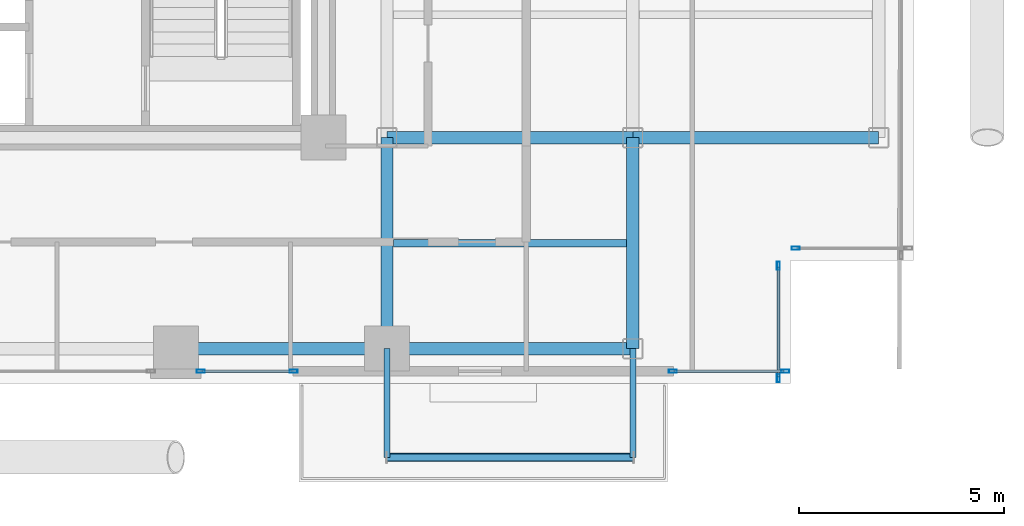
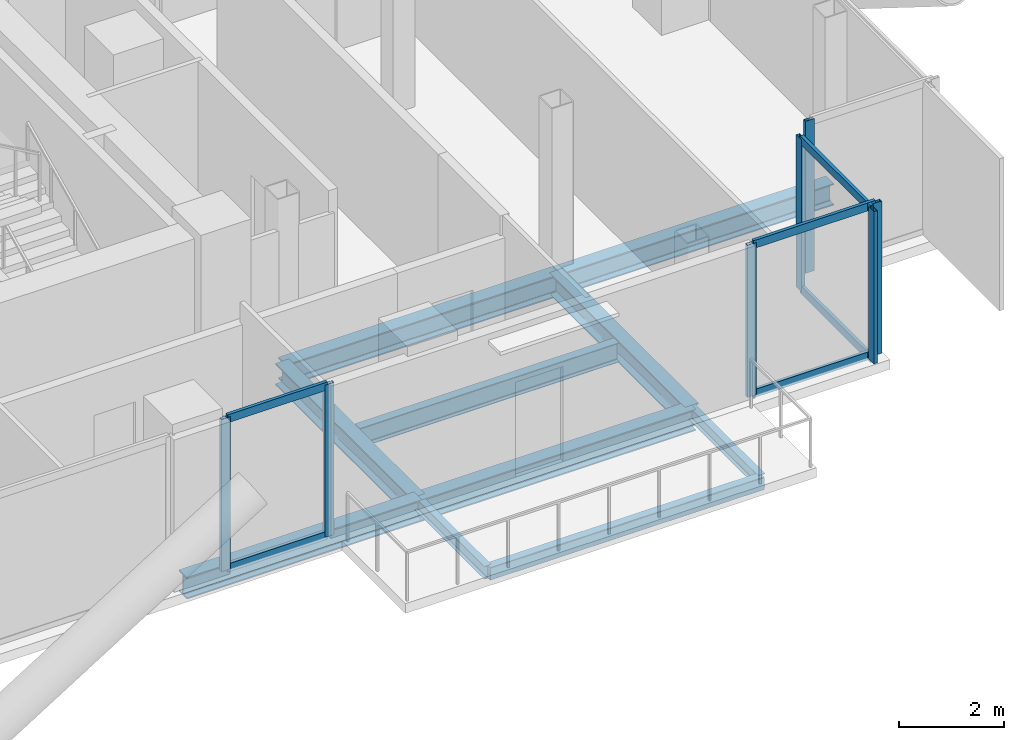
# One storey, part 10 of 28: 13 members, 10 beams, 4 elements without a shape of their own.
"""IFC4 building model written with IfcOpenShell, lengths in metres."""

from ifc_helpers import new_model, si_unit, direction, frame, origin, origin_2d, place, context, subcontext, project, spatial, hollow_rectangle, i_section, extrude, material, layer, layer_set, material_profile, profile_set, type_object, element, aggregate, save


model = new_model("IFC4")

# Units and contexts
model_context = context("Model", 3, precision=1e-05, world=origin(), true_north=direction((0.0, 1.0)))
body_context = subcontext(model_context, "Body", "Model", "MODEL_VIEW")
ifc_project = project(units=[si_unit("LENGTHUNIT", "METRE"), si_unit("AREAUNIT", "SQUARE_METRE"), si_unit("VOLUMEUNIT", "CUBIC_METRE"), si_unit("PLANEANGLEUNIT", "RADIAN"), si_unit("MASSUNIT", "GRAM", prefix="KILO"), si_unit("THERMODYNAMICTEMPERATUREUNIT", "KELVIN"), si_unit("POWERUNIT", "WATT")], contexts=[model_context])

# Site, building, storey
site_placement = place(None, origin())
site = spatial("IfcSite", under=ifc_project, at=site_placement, CompositionType="ELEMENT")
building_placement = place(site_placement, origin())
building = spatial("IfcBuilding", under=site, at=building_placement, Name="Svarakhadi Broadcast Tower", CompositionType="ELEMENT")
storey_placement = place(building_placement, frame((0.0, 0.0, 138.14990234375)))
storey = spatial("IfcBuildingStorey", under=building, at=storey_placement, Name="L33", CompositionType="ELEMENT", Elevation=138.14990234375)

# Beam
ifc_material_1 = material(Name="Steel S355J2 (IS 2062 E350C)", Category="steel")
ifc_material_profile_1 = material_profile(ifc_material_1, i_section(OverallWidth=0.18994140625, OverallDepth=0.449951171875, WebThickness=0.009521484375, FlangeThickness=0.0146484375, FilletRadius=0.02099609375, at=origin_2d()), Name="NPB 450x190x78")
ifc_profile_set_1 = profile_set([ifc_material_profile_1], Name="Steel S355J2 (IS 2062 E350C)")
beam_type_1 = type_object("IfcBeamType", Name="Beam_NPB450", PredefinedType="BEAM", material=ifc_profile_set_1)
beam_1_placement = place(storey_placement, frame((35.31005859375, 3.425048828125, -0.449951171875), z_axis=(1.0, 0.0, 0.0), x_axis=(0.0, 1.0, 0.0)))
element("IfcBeam", 1, at=beam_1_placement, inside=storey, type_object=beam_type_1, Name="L33 Secondary Composite Beam SB019", PredefinedType="BEAM", context=body_context, shape_type="SweptSolid", body=[
    extrude(i_section(OverallWidth=0.18994140625, OverallDepth=0.449951171875, WebThickness=0.009521484375, FlangeThickness=0.0146484375, FilletRadius=0.02099609375, at=origin_2d()), origin(), (0.0, 0.0, 1.0), 5.679931640625),
])

# Curtain wall, member
ifc_material_2 = material(Name="Anodised Bronze Aluminium AA 6063-T6", Category="aluminium")
ifc_layer = layer(ifc_material_2, 0.199951171875)
ifc_layer_set = layer_set([ifc_layer], Name="Anodised Bronze Aluminium AA 6063-T6")
curtain_wall_type = type_object("IfcCurtainWallType", Name="CW_Sys_03", PredefinedType="NOTDEFINED", material=ifc_layer_set)
curtain_wall_1_placement = place(storey_placement, origin())
curtain_wall_1 = element("IfcCurtainWall", 2, at=curtain_wall_1_placement, inside=storey, type_object=curtain_wall_type, Name="L33 Unitised Facade Curtain Wall 14", PredefinedType="NOTDEFINED")
ifc_material_profile_2 = material_profile(ifc_material_2, hollow_rectangle(XDim=0.074951171875, YDim=0.199951171875, WallThickness=0.005615234375, at=origin_2d()), Name="ALU MULLION 200x75x6")
ifc_profile_set_2 = profile_set([ifc_material_profile_2], Name="Anodised Bronze Aluminium AA 6063-T6")
member_type_1 = type_object("IfcMemberType", Name="CW_Sys_03_Mul", PredefinedType="MULLION", material=ifc_profile_set_2)
member_1_placement = place(storey_placement, frame((45.12744140625, 3.300048828125, 0.0), z_axis=(0.0, 0.0, 1.0), x_axis=(0.0, -1.0, 0.0)))
member_1 = element("IfcMember", 3, at=member_1_placement, type_object=member_type_1, Name="CW-03 mullion 2", PredefinedType="MULLION", context=body_context, shape_type="SweptSolid", body=[
    extrude(hollow_rectangle(XDim=0.074951171875, YDim=0.199951171875, WallThickness=0.005615234375, at=origin_2d()), origin(), (0.0, 0.0, 1.0), 3.525146484375),
])
aggregate(curtain_wall_1, [member_1])

# Curtain wall, members
curtain_wall_2_placement = place(storey_placement, origin())
curtain_wall_2 = element("IfcCurtainWall", 4, at=curtain_wall_2_placement, inside=storey, type_object=curtain_wall_type, Name="L33 Unitised Facade Curtain Wall 15", PredefinedType="NOTDEFINED")
member_2_placement = place(storey_placement, frame((44.699951171875, 2.87255859375, 0.0), z_axis=(0.0, 0.0, 1.0), x_axis=(1.0, 0.0, 0.0)))
member_2 = element("IfcMember", 5, at=member_2_placement, type_object=member_type_1, Name="CW-03 mullion 1", PredefinedType="MULLION", context=body_context, shape_type="SweptSolid", body=[
    extrude(hollow_rectangle(XDim=0.074951171875, YDim=0.199951171875, WallThickness=0.005615234375, at=origin_2d()), origin(), (0.0, 0.0, 1.0), 3.525146484375),
])
member_3_placement = place(storey_placement, frame((44.699951171875, 0.12744140625, 0.0), z_axis=(0.0, 0.0, 1.0), x_axis=(1.0, 0.0, 0.0)))
member_3 = element("IfcMember", 6, at=member_3_placement, type_object=member_type_1, Name="CW-03 mullion 2", PredefinedType="MULLION", context=body_context, shape_type="SweptSolid", body=[
    extrude(hollow_rectangle(XDim=0.074951171875, YDim=0.199951171875, WallThickness=0.005615234375, at=origin_2d()), origin(), (0.0, 0.0, 1.0), 3.525146484375),
])

curtain_wall_3_placement = place(storey_placement, origin())
curtain_wall_3 = element("IfcCurtainWall", 7, at=curtain_wall_3_placement, inside=storey, type_object=curtain_wall_type, Name="L33 South Curtain Wall 16", PredefinedType="NOTDEFINED")
member_4_placement = place(storey_placement, frame((44.87255859375, 0.300048828125, 0.0), z_axis=(0.0, 0.0, 1.0), x_axis=(0.0, -1.0, 0.0)))
member_4 = element("IfcMember", 8, at=member_4_placement, type_object=member_type_1, Name="CW-03 mullion 1", PredefinedType="MULLION", context=body_context, shape_type="SweptSolid", body=[
    extrude(hollow_rectangle(XDim=0.074951171875, YDim=0.199951171875, WallThickness=0.005615234375, at=origin_2d()), origin(), (0.0, 0.0, 1.0), 3.525146484375),
])
member_5_placement = place(storey_placement, frame((42.12744140625, 0.300048828125, 0.0), z_axis=(0.0, 0.0, 1.0), x_axis=(0.0, -1.0, 0.0)))
member_5 = element("IfcMember", 9, at=member_5_placement, type_object=member_type_1, Name="CW-03 mullion 2", PredefinedType="MULLION", context=body_context, shape_type="SweptSolid", body=[
    extrude(hollow_rectangle(XDim=0.074951171875, YDim=0.199951171875, WallThickness=0.005615234375, at=origin_2d()), origin(), (0.0, 0.0, 1.0), 3.525146484375),
])

curtain_wall_4_placement = place(storey_placement, origin())
curtain_wall_4 = element("IfcCurtainWall", 10, at=curtain_wall_4_placement, inside=storey, type_object=curtain_wall_type, Name="L33 South Curtain Wall 17 Bay 1", PredefinedType="NOTDEFINED")
member_6_placement = place(storey_placement, frame((32.87255859375, 0.300048828125, 0.0), z_axis=(0.0, 0.0, 1.0), x_axis=(0.0, -1.0, 0.0)))
member_6 = element("IfcMember", 11, at=member_6_placement, type_object=member_type_1, Name="CW-03 mullion 1", PredefinedType="MULLION", context=body_context, shape_type="SweptSolid", body=[
    extrude(hollow_rectangle(XDim=0.074951171875, YDim=0.199951171875, WallThickness=0.005615234375, at=origin_2d()), origin(), (0.0, 0.0, 1.0), 3.525146484375),
])
member_7_placement = place(storey_placement, frame((30.607421875, 0.300048828125, 0.0), z_axis=(0.0, 0.0, 1.0), x_axis=(0.0, -1.0, 0.0)))
member_7 = element("IfcMember", 12, at=member_7_placement, type_object=member_type_1, Name="CW-03 mullion 2", PredefinedType="MULLION", context=body_context, shape_type="SweptSolid", body=[
    extrude(hollow_rectangle(XDim=0.074951171875, YDim=0.199951171875, WallThickness=0.005615234375, at=origin_2d()), origin(), (0.0, 0.0, 1.0), 3.525146484375),
])

# Member
ifc_material_profile_3 = material_profile(ifc_material_2, hollow_rectangle(XDim=0.070068359375, YDim=0.18505859375, WallThickness=0.0048828125, at=origin_2d()), Name="ALU TRANSOM 185x70x5")
ifc_profile_set_3 = profile_set([ifc_material_profile_3], Name="Anodised Bronze Aluminium AA 6063-T6")
member_type_2 = type_object("IfcMemberType", Name="CW_Sys_03_Trn", PredefinedType="USERDEFINED", material=ifc_profile_set_3)
member_8_placement = place(storey_placement, frame((44.699951171875, 2.8349609375, 0.03515625), z_axis=(0.0, -1.0, 0.0), x_axis=(1.0, 0.0, 0.0)))
member_8 = element("IfcMember", 13, at=member_8_placement, type_object=member_type_2, Name="CW-03 transom 1.1", ObjectType="TRANSOM", PredefinedType="USERDEFINED", context=body_context, shape_type="SweptSolid", body=[
    extrude(hollow_rectangle(XDim=0.070068359375, YDim=0.18505859375, WallThickness=0.0048828125, at=origin_2d()), origin(), (0.0, 0.0, 1.0), 2.669921875),
])

member_9_placement = place(storey_placement, frame((44.699951171875, 2.8349609375, 3.489990234375), z_axis=(0.0, -1.0, 0.0), x_axis=(1.0, 0.0, 0.0)))
member_9 = element("IfcMember", 14, at=member_9_placement, type_object=member_type_2, Name="CW-03 transom 1.2", ObjectType="TRANSOM", PredefinedType="USERDEFINED", context=body_context, shape_type="SweptSolid", body=[
    extrude(hollow_rectangle(XDim=0.070068359375, YDim=0.18505859375, WallThickness=0.0048828125, at=origin_2d()), origin(), (0.0, 0.0, 1.0), 2.669921875),
])

aggregate(curtain_wall_2, [member_2, member_3, member_8, member_9])

member_10_placement = place(storey_placement, frame((44.8349609375, 0.300048828125, 0.03515625), z_axis=(-1.0, 0.0, 0.0), x_axis=(0.0, -1.0, 0.0)))
member_10 = element("IfcMember", 15, at=member_10_placement, type_object=member_type_2, Name="CW-03 transom 1.1", ObjectType="TRANSOM", PredefinedType="USERDEFINED", context=body_context, shape_type="SweptSolid", body=[
    extrude(hollow_rectangle(XDim=0.070068359375, YDim=0.18505859375, WallThickness=0.0048828125, at=origin_2d()), origin(), (0.0, 0.0, 1.0), 2.669921875),
])

member_11_placement = place(storey_placement, frame((44.8349609375, 0.300048828125, 3.489990234375), z_axis=(-1.0, 0.0, 0.0), x_axis=(0.0, -1.0, 0.0)))
member_11 = element("IfcMember", 16, at=member_11_placement, type_object=member_type_2, Name="CW-03 transom 1.2", ObjectType="TRANSOM", PredefinedType="USERDEFINED", context=body_context, shape_type="SweptSolid", body=[
    extrude(hollow_rectangle(XDim=0.070068359375, YDim=0.18505859375, WallThickness=0.0048828125, at=origin_2d()), origin(), (0.0, 0.0, 1.0), 2.669921875),
])

aggregate(curtain_wall_3, [member_4, member_5, member_10, member_11])

member_12_placement = place(storey_placement, frame((32.8349609375, 0.300048828125, 0.03515625), z_axis=(-1.0, 0.0, 0.0), x_axis=(0.0, -1.0, 0.0)))
member_12 = element("IfcMember", 17, at=member_12_placement, type_object=member_type_2, Name="CW-03 transom 1.1", ObjectType="TRANSOM", PredefinedType="USERDEFINED", context=body_context, shape_type="SweptSolid", body=[
    extrude(hollow_rectangle(XDim=0.070068359375, YDim=0.18505859375, WallThickness=0.0048828125, at=origin_2d()), origin(), (0.0, 0.0, 1.0), 2.18994140625),
])

member_13_placement = place(storey_placement, frame((32.8349609375, 0.300048828125, 3.489990234375), z_axis=(-1.0, 0.0, 0.0), x_axis=(0.0, -1.0, 0.0)))
member_13 = element("IfcMember", 18, at=member_13_placement, type_object=member_type_2, Name="CW-03 transom 1.2", ObjectType="TRANSOM", PredefinedType="USERDEFINED", context=body_context, shape_type="SweptSolid", body=[
    extrude(hollow_rectangle(XDim=0.070068359375, YDim=0.18505859375, WallThickness=0.0048828125, at=origin_2d()), origin(), (0.0, 0.0, 1.0), 2.18994140625),
])

aggregate(curtain_wall_4, [member_6, member_7, member_12, member_13])

# Beams
ifc_material_profile_4 = material_profile(ifc_material_1, i_section(OverallWidth=0.300048828125, OverallDepth=0.5, WebThickness=0.014404296875, FlangeThickness=0.028076171875, FilletRadius=0.027099609375, at=origin_2d()), Name="WPB 500x300x187")
ifc_profile_set_4 = profile_set([ifc_material_profile_4], Name="Steel S355J2 (IS 2062 E350C)")
beam_type_2 = type_object("IfcBeamType", Name="Girder_WPB500", PredefinedType="USERDEFINED", material=ifc_profile_set_4)
beam_2_placement = place(storey_placement, frame((30.0, 0.85009765625, -0.474853515625), z_axis=(1.0, 0.0, 0.0), x_axis=(0.0, 1.0, 0.0)))
element("IfcBeam", 19, at=beam_2_placement, inside=storey, type_object=beam_type_2, Name="L33 Primary E-W Girder G008", ObjectType="GIRDER", PredefinedType="USERDEFINED", context=body_context, shape_type="SweptSolid", body=[
    extrude(i_section(OverallWidth=0.300048828125, OverallDepth=0.5, WebThickness=0.014404296875, FlangeThickness=0.028076171875, FilletRadius=0.027099609375, at=origin_2d()), origin(), (0.0, 0.0, 1.0), 5.14990234375),
])
for number, where, z_axis, x_axis, name in (
    (20, (35.14990234375, 0.85009765625, -0.474853515625), (1.0, 0.0, 0.0), (0.0, 1.0, 0.0), "L33 Primary E-W Girder G009"),
    (21, (35.14990234375, 6.0, -0.474853515625), (1.0, 0.0, 0.0), (0.0, 1.0, 0.0), "L33 Primary E-W Girder G015"),
    (22, (41.14990234375, 6.0, -0.474853515625), (1.0, 0.0, 0.0), (0.0, 1.0, 0.0), "L33 Primary E-W Girder G016"),
):
    element("IfcBeam", number, at=place(storey_placement, frame(where, z_axis=z_axis, x_axis=x_axis)), inside=storey, type_object=beam_type_2, Name=name, ObjectType="GIRDER", PredefinedType="USERDEFINED", context=body_context, shape_type="SweptSolid", body=[
        extrude(i_section(OverallWidth=0.300048828125, OverallDepth=0.5, WebThickness=0.014404296875, FlangeThickness=0.028076171875, FilletRadius=0.027099609375, at=origin_2d()), origin(), (0.0, 0.0, 1.0), 6.0),
    ])
for number, where, z_axis, x_axis, name in (
    (23, (35.14990234375, 0.85009765625, -0.474853515625), (0.0, 1.0, 0.0), (-1.0, 0.0, 0.0), "L33 Primary N-S Girder G067"),
    (24, (41.14990234375, 0.85009765625, -0.474853515625), (0.0, 1.0, 0.0), (-1.0, 0.0, 0.0), "L33 Primary N-S Girder G070"),
):
    element("IfcBeam", number, at=place(storey_placement, frame(where, z_axis=z_axis, x_axis=x_axis)), inside=storey, type_object=beam_type_2, Name=name, ObjectType="GIRDER", PredefinedType="USERDEFINED", context=body_context, shape_type="SweptSolid", body=[
        extrude(i_section(OverallWidth=0.300048828125, OverallDepth=0.5, WebThickness=0.014404296875, FlangeThickness=0.028076171875, FilletRadius=0.027099609375, at=origin_2d()), origin(), (0.0, 0.0, 1.0), 5.14990234375),
    ])
ifc_material_profile_5 = material_profile(ifc_material_1, i_section(OverallWidth=0.14990234375, OverallDepth=0.300048828125, WebThickness=0.007080078125, FlangeThickness=0.0107421875, FilletRadius=0.014892578125, at=origin_2d()), Name="NPB 300x150x37")
ifc_profile_set_5 = profile_set([ifc_material_profile_5], Name="Steel S355J2 (IS 2062 E350C)")
beam_type_3 = type_object("IfcBeamType", Name="Spandrel_NPB300", PredefinedType="SPANDREL", material=ifc_profile_set_5)
for number, where, z_axis, x_axis, name in (
    (25, (35.14990234375, 0.85009765625, -0.375), (0.0, -1.0, 0.0), (1.0, 0.0, 0.0), "L33 Balcony Cantilever Bracket 1A"),
    (26, (41.14990234375, 0.85009765625, -0.375), (0.0, -1.0, 0.0), (1.0, 0.0, 0.0), "L33 Balcony Cantilever Bracket 1B"),
):
    element("IfcBeam", number, at=place(storey_placement, frame(where, z_axis=z_axis, x_axis=x_axis)), inside=storey, type_object=beam_type_3, Name=name, PredefinedType="SPANDREL", context=body_context, shape_type="SweptSolid", body=[
        extrude(i_section(OverallWidth=0.14990234375, OverallDepth=0.300048828125, WebThickness=0.007080078125, FlangeThickness=0.0107421875, FilletRadius=0.014892578125, at=origin_2d()), origin(), (0.0, 0.0, 1.0), 2.650146484375),
    ])
ifc_material_3 = material(Name="Steel S460ML (IS 2062 E450BR)", Category="steel")
ifc_material_profile_6 = material_profile(ifc_material_3, hollow_rectangle(XDim=0.199951171875, YDim=0.300048828125, WallThickness=0.012451171875, InnerFilletRadius=0.012451171875, OuterFilletRadius=0.02490234375, at=origin_2d()), Name="RHS 300x200x12.5")
ifc_profile_set_6 = profile_set([ifc_material_profile_6], Name="Steel S460ML (IS 2062 E450BR)")
beam_type_4 = type_object("IfcBeamType", Name="Spandrel_RHS300", PredefinedType="SPANDREL", material=ifc_profile_set_6)
beam_3_placement = place(storey_placement, frame((35.14990234375, -1.800048828125, -0.375), z_axis=(1.0, 0.0, 0.0), x_axis=(0.0, 1.0, 0.0)))
element("IfcBeam", 27, at=beam_3_placement, inside=storey, type_object=beam_type_4, Name="L33 Balcony Outer Spandrel 1F", PredefinedType="SPANDREL", context=body_context, shape_type="SweptSolid", body=[
    extrude(hollow_rectangle(XDim=0.199951171875, YDim=0.300048828125, WallThickness=0.012451171875, InnerFilletRadius=0.012451171875, OuterFilletRadius=0.02490234375, at=origin_2d()), origin(), (0.0, 0.0, 1.0), 6.0),
])

save(model, "model.ifc")
